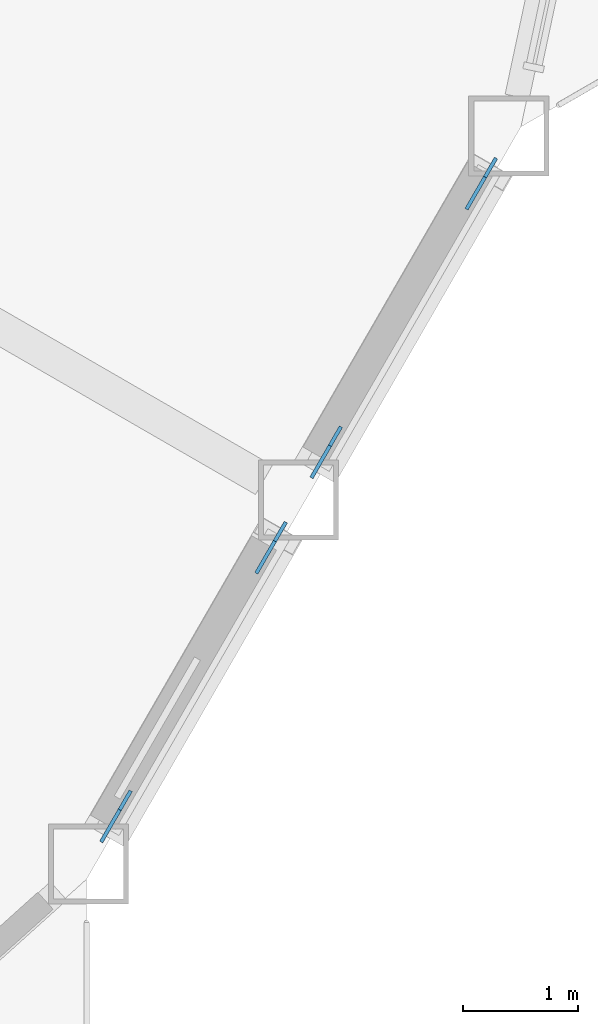
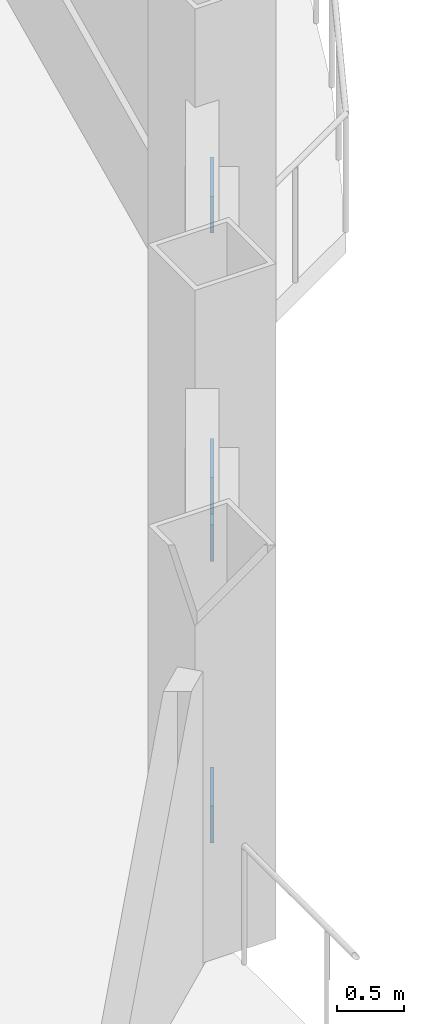
# One storey, part 17 of 24: 4 discrete accessories.
"""IFC4 building model written with IfcOpenShell, lengths in metres."""

import ifcopenshell
import ifcopenshell.guid

model = None  # the IFC model being written
_history = None  # IfcOwnerHistory: only IFC2X3 demands one
_inside = {}  # id of a spatial element -> (the spatial element, [elements in it])
_under = {}  # id of a project, library or spatial element -> (it, [spatial elements below it])
_declared = {}  # id of a project -> (the project, [libraries it declares])
_typed = {}  # id of a type object -> (the type object, [elements of that type])
_made_of = {}  # id of a material, layer set ... -> (it, [elements and type objects made of it])


def new_model(schema):
    """Start an empty IFC model of exactly this schema.

    Asked for "IFC4X3", IfcOpenShell would pick the latest addendum, in which some entities
    have other attributes; the version numbers below select the first issue.
    IFC2X3 requires an IfcOwnerHistory on every rooted entity: one is made here for all.
    """
    global model, _history
    if schema == "IFC4X3":
        model = ifcopenshell.file(schema_version=(4, 3, 0, 0))
    else:
        model = ifcopenshell.file(schema=schema)
    _inside.clear()
    _under.clear()
    _declared.clear()
    _typed.clear()
    _made_of.clear()
    _history = None
    if model.schema == "IFC2X3":
        org = make("IfcOrganization", Name="unknown")
        user = make(
            "IfcPersonAndOrganization",
            ThePerson=make("IfcPerson", FamilyName="unknown"),
            TheOrganization=org,
        )
        app = make(
            "IfcApplication",
            ApplicationDeveloper=org,
            Version="unknown",
            ApplicationFullName="unknown",
            ApplicationIdentifier="unknown",
        )
        _history = make(
            "IfcOwnerHistory",
            OwningUser=user,
            OwningApplication=app,
            ChangeAction="ADDED",
            CreationDate=0,
        )
    return model


def make(cls, **values):
    """One entity of the class cls with the attributes given. An attribute that is None is left unset."""
    return model.create_entity(
        cls, **{name: value for name, value in values.items() if value is not None}
    )


def rooted(cls, **values):
    """An entity with a GlobalId (a new one), such as an element, a storey or a relation."""
    return make(cls, GlobalId=ifcopenshell.guid.new(), OwnerHistory=_history, **values)


def si_unit(unit_type, name, prefix=None):
    """IfcSIUnit, for example si_unit("LENGTHUNIT", "METRE", prefix="MILLI")."""
    return make("IfcSIUnit", UnitType=unit_type, Prefix=prefix, Name=name)


def assignment(units):
    """IfcUnitAssignment: the units of a project."""
    return None if units is None else make("IfcUnitAssignment", Units=units)


def point(xyz):
    """IfcCartesianPoint."""
    return None if xyz is None else make("IfcCartesianPoint", Coordinates=xyz)


def direction(xyz):
    """IfcDirection."""
    return None if xyz is None else make("IfcDirection", DirectionRatios=xyz)


def frame(location, z_axis=None, x_axis=None):
    """IfcAxis2Placement3D, a coordinate frame: its origin and axes. An axis left out is left unset."""
    return make(
        "IfcAxis2Placement3D",
        Location=point(location),
        Axis=direction(z_axis),
        RefDirection=direction(x_axis),
    )


def frame_2d(location, x_axis=None):
    """IfcAxis2Placement2D, a coordinate frame in the plane: its origin and x axis."""
    return make(
        "IfcAxis2Placement2D", Location=point(location), RefDirection=direction(x_axis)
    )


def origin():
    """The frame at (0, 0, 0) with its axes left unset."""
    return frame((0.0, 0.0, 0.0))


def origin_2d():
    """The frame at (0, 0) in the plane with its x axis left unset."""
    return frame_2d((0.0, 0.0))


def place(relative_to, where):
    """IfcLocalPlacement: puts the frame where relative to a parent placement (None: the world)."""
    return make(
        "IfcLocalPlacement", PlacementRelTo=relative_to, RelativePlacement=where
    )


def context(
    kind, dimensions, precision=None, world=None, true_north=None, identifier=None
):
    """IfcGeometricRepresentationContext, for example the 3D "Model" context."""
    return make(
        "IfcGeometricRepresentationContext",
        ContextIdentifier=identifier,
        ContextType=kind,
        CoordinateSpaceDimension=dimensions,
        Precision=precision,
        WorldCoordinateSystem=world,
        TrueNorth=true_north,
    )


def subcontext(parent, identifier, kind, view, scale=None):
    """IfcGeometricRepresentationSubContext, for example "Body" below "Model"."""
    return make(
        "IfcGeometricRepresentationSubContext",
        ContextIdentifier=identifier,
        ContextType=kind,
        ParentContext=parent,
        TargetScale=scale,
        TargetView=view,
    )


def project(units=None, contexts=None):
    """IfcProject with its units and contexts."""
    return rooted(
        "IfcProject",
        Name="project",
        RepresentationContexts=contexts,
        UnitsInContext=assignment(units),
    )


def spatial(cls, under=None, at=None, **own):
    """A site, building, storey or space (cls), placed at a placement, below another one or the project."""
    s = rooted(cls, ObjectPlacement=at, **own)
    if under is not None:
        _under.setdefault(under.id(), (under, []))[1].append(s)
    return s


def profile(cls, at=None, kind="AREA", **sizes):
    """A parametric profile (cls). Its sizes go by their IFC names, for example OverallWidth=200.0."""
    return make(cls, ProfileType=kind, Position=at, **sizes)


def rectangle(**sizes):
    """IfcRectangleProfileDef."""
    return profile("IfcRectangleProfileDef", **sizes)


def extrude(swept, where, along, depth):
    """IfcExtrudedAreaSolid: the profile swept, set in the frame where, extruded along a direction by depth."""
    return make(
        "IfcExtrudedAreaSolid",
        SweptArea=swept,
        Position=where,
        ExtrudedDirection=direction(along),
        Depth=depth,
    )


def shape(context_of_items, identifier, shape_type, items):
    """IfcShapeRepresentation: the items that make up one representation, for example the "Body"."""
    return make(
        "IfcShapeRepresentation",
        ContextOfItems=context_of_items,
        RepresentationIdentifier=identifier,
        RepresentationType=shape_type,
        Items=items,
    )


def material(Name=None, Category=None):
    """IfcMaterial."""
    return make("IfcMaterial", Name=Name, Category=Category)


def material_profile(
    of_material, cross_section, Name=None, Category=None, Priority=None
):
    """IfcMaterialProfile: a cross section and its material."""
    return make(
        "IfcMaterialProfile",
        Name=Name,
        Material=of_material,
        Profile=cross_section,
        Priority=Priority,
        Category=Category,
    )


def profile_set(profiles, Name=None, composite=None):
    """IfcMaterialProfileSet."""
    return make(
        "IfcMaterialProfileSet",
        Name=Name,
        MaterialProfiles=profiles,
        CompositeProfile=composite,
    )


def made_of(thing, what):
    """Note that an element or type object is made of a material, layer set ...; save() writes the relation."""
    if what is not None:
        _made_of.setdefault(what.id(), (what, []))[1].append(thing)
    return thing


def type_object(cls, material=None, **own):
    """A type object (cls), such as IfcWallType, which elements share."""
    return made_of(rooted(cls, **own), material)


def element(
    cls,
    number,
    at=None,
    inside=None,
    cuts=None,
    type_object=None,
    material=None,
    context=None,
    identifier="Body",
    shape_type=None,
    held_by="IfcProductDefinitionShape",
    body=None,
    shapes=None,
    **own,
):
    """One element of the class cls, such as IfcWall. Its Tag is "e" and its number.

    at: its placement. inside: the storey or other place that contains it. cuts: it is an
    opening in that element (IfcRelVoidsElement). A single representation is given by context,
    identifier, shape_type and body (its items); several are given by shapes. held_by: the class
    of the entity that holds the representations. save() writes the other relations.
    """
    e = rooted(cls, Tag="e%d" % number, ObjectPlacement=at, **own)
    if body is not None:
        shapes = [shape(context, identifier, shape_type, body)]
    if shapes is not None:
        e.Representation = make(held_by, Representations=shapes)
    if inside is not None:
        _inside.setdefault(inside.id(), (inside, []))[1].append(e)
    if cuts is not None:
        rooted(
            "IfcRelVoidsElement", RelatingBuildingElement=cuts, RelatedOpeningElement=e
        )
    if type_object is not None:
        _typed.setdefault(type_object.id(), (type_object, []))[1].append(e)
    return made_of(e, material)


def aggregate(whole, parts):
    """IfcRelAggregates: a whole, such as a stair, and the parts it consists of."""
    return rooted("IfcRelAggregates", RelatingObject=whole, RelatedObjects=parts)


def save(model, path):
    """Write the relations noted so far, then the file.

    IfcRelAggregates (storeys below a building ...), IfcRelContainedInSpatialStructure (elements
    in a storey), IfcRelDefinesByType, IfcRelAssociatesMaterial and IfcRelDeclares: one each for
    every whole, place, type object, material and project.
    """
    for whole, parts in _under.values():
        aggregate(whole, parts)
    for where, things in _inside.values():
        rooted(
            "IfcRelContainedInSpatialStructure",
            RelatedElements=things,
            RelatingStructure=where,
        )
    for kind, things in _typed.values():
        rooted("IfcRelDefinesByType", RelatedObjects=things, RelatingType=kind)
    for what, things in _made_of.values():
        rooted("IfcRelAssociatesMaterial", RelatedObjects=things, RelatingMaterial=what)
    for by, libraries in _declared.values():
        rooted("IfcRelDeclares", RelatingContext=by, RelatedDefinitions=libraries)
    model.write(path)


model = new_model("IFC4")

# Units and contexts
model_context = context("Model", 3, precision=1e-05, world=origin(), true_north=direction((0.0, 1.0)))
body_context = subcontext(model_context, "Body", "Model", "MODEL_VIEW")
ifc_project = project(units=[si_unit("LENGTHUNIT", "METRE"), si_unit("AREAUNIT", "SQUARE_METRE"), si_unit("VOLUMEUNIT", "CUBIC_METRE"), si_unit("PLANEANGLEUNIT", "RADIAN"), si_unit("MASSUNIT", "GRAM", prefix="KILO")], contexts=[model_context])

# Site, building, storey
site_placement = place(None, origin())
site = spatial("IfcSite", under=ifc_project, at=site_placement, CompositionType="ELEMENT")
building_placement = place(site_placement, origin())
building = spatial("IfcBuilding", under=site, at=building_placement, Name="Cormorant Prow Tower", CompositionType="ELEMENT")
storey_placement = place(building_placement, frame((0.0, 0.0, 274.199951171875)))
storey = spatial("IfcBuildingStorey", under=building, at=storey_placement, Name="L62", CompositionType="ELEMENT", Elevation=274.199951171875)

# Discrete accessories
ifc_material = material(Name="Structural steel ASTM A500 Gr C", Category="steel")
ifc_material_profile = material_profile(ifc_material, rectangle(XDim=0.031982421875, YDim=0.506103515625, at=origin_2d()), Name="Gusset plate 32x506")
ifc_profile_set = profile_set([ifc_material_profile], Name="Structural steel ASTM A500 Gr C")
discrete_accessory_type = type_object("IfcDiscreteAccessoryType", Name="Gusset plate 32x506", PredefinedType="BRACKET", material=ifc_profile_set)
discrete_accessory_1_placement = place(storey_placement, frame((26.262939453125, -18.658203125, 0.863037109375), z_axis=(-0.462949952395, -0.801795851286, -0.37788987078), x_axis=(0.866010015463, -0.500026652407, 0.0)))
element("IfcDiscreteAccessory", 1, at=discrete_accessory_1_placement, inside=storey, type_object=discrete_accessory_type, Name="Gusset plate GP2 L62.ESE00.g0", PredefinedType="BRACKET", context=body_context, shape_type="SweptSolid", body=[
    extrude(rectangle(XDim=0.031982421875, YDim=0.506103515625, at=origin_2d()), origin(), (0.0, 0.0, 1.0), 0.35009765625),
])
discrete_accessory_2_placement = place(storey_placement, frame((27.454833984375, -16.59375, 1.837890625), z_axis=(0.462538490196, 0.801593854051, 0.378821116405), x_axis=(-0.866147934042, 0.499787711288, 0.0)))
element("IfcDiscreteAccessory", 2, at=discrete_accessory_2_placement, inside=storey, type_object=discrete_accessory_type, Name="Gusset plate GP2 L62.ESE00.g1", PredefinedType="BRACKET", context=body_context, shape_type="SweptSolid", body=[
    extrude(rectangle(XDim=0.031982421875, YDim=0.506103515625, at=origin_2d()), origin(), (0.0, 0.0, 1.0), 0.349853515625),
])
discrete_accessory_3_placement = place(storey_placement, frame((28.09814453125, -15.4794921875, 0.863037109375), z_axis=(-0.462949952395, -0.801795851286, -0.37788987078), x_axis=(0.866010015463, -0.500026652407, 0.0)))
element("IfcDiscreteAccessory", 3, at=discrete_accessory_3_placement, inside=storey, type_object=discrete_accessory_type, Name="Gusset plate GP2 L62.ESE01.g0", PredefinedType="BRACKET", context=body_context, shape_type="SweptSolid", body=[
    extrude(rectangle(XDim=0.031982421875, YDim=0.506103515625, at=origin_2d()), origin(), (0.0, 0.0, 1.0), 0.35009765625),
])
discrete_accessory_4_placement = place(storey_placement, frame((29.2900390625, -13.4150390625, 1.837890625), z_axis=(0.462538490196, 0.801593854051, 0.378821116405), x_axis=(-0.866147934042, 0.499787711288, 0.0)))
element("IfcDiscreteAccessory", 4, at=discrete_accessory_4_placement, inside=storey, type_object=discrete_accessory_type, Name="Gusset plate GP2 L62.ESE01.g1", PredefinedType="BRACKET", context=body_context, shape_type="SweptSolid", body=[
    extrude(rectangle(XDim=0.031982421875, YDim=0.506103515625, at=origin_2d()), origin(), (0.0, 0.0, 1.0), 0.349853515625),
])

save(model, "model.ifc")
